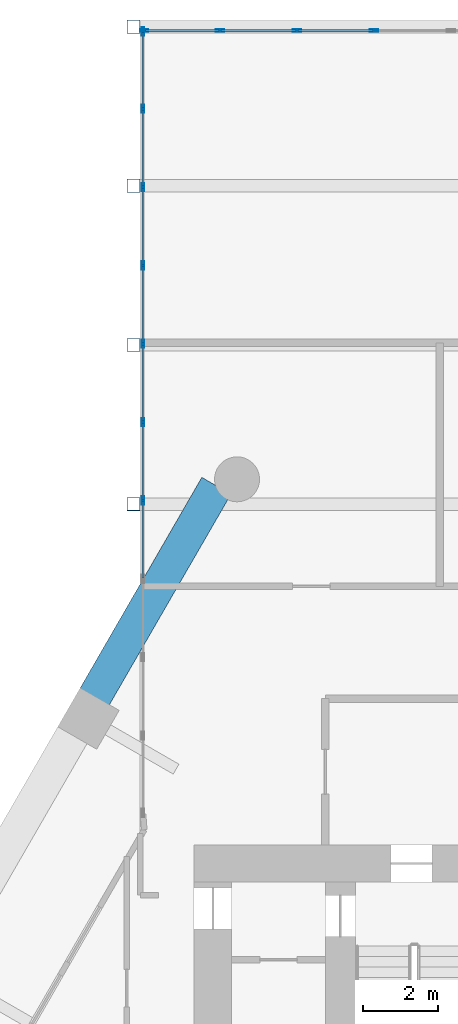
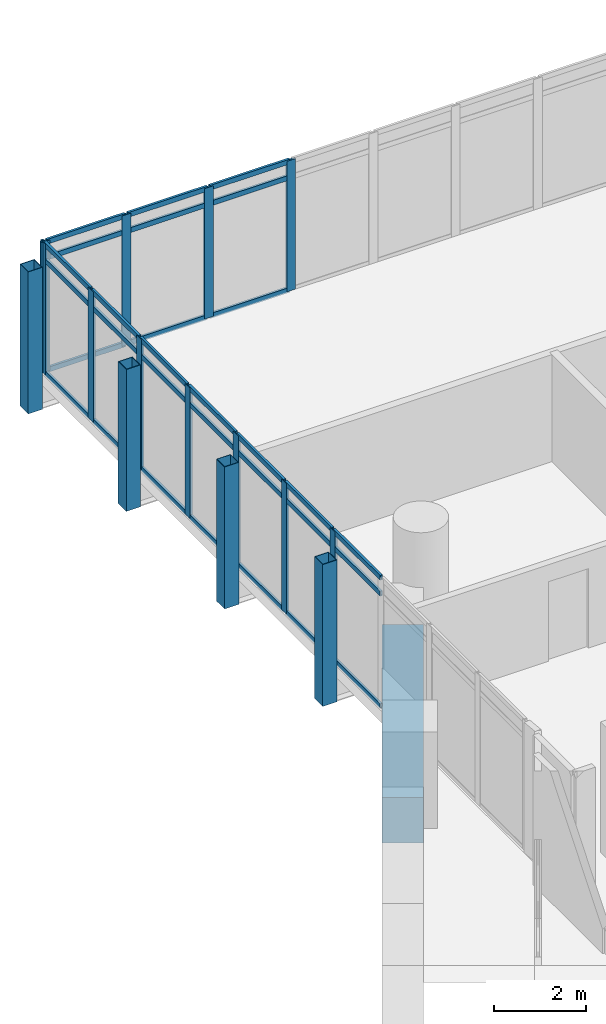
# One storey, part 13 of 28: 45 members, 1 beam, 2 elements without a shape of their own.
"""IFC4 building model written with IfcOpenShell, lengths in metres."""

from ifc_helpers import new_model, si_unit, direction, frame, origin, origin_2d, place, context, subcontext, project, spatial, rectangle, hollow_rectangle, extrude, material, material_profile, profile_set, type_object, element, aggregate, save


model = new_model("IFC4")

# Units and contexts
model_context = context("Model", 3, precision=1e-05, world=origin(), true_north=direction((0.0, 1.0)))
body_context = subcontext(model_context, "Body", "Model", "MODEL_VIEW")
ifc_project = project(units=[si_unit("LENGTHUNIT", "METRE"), si_unit("AREAUNIT", "SQUARE_METRE"), si_unit("VOLUMEUNIT", "CUBIC_METRE"), si_unit("PLANEANGLEUNIT", "RADIAN"), si_unit("MASSUNIT", "GRAM", prefix="KILO")], contexts=[model_context])

# Site, building, storey
site_placement = place(None, origin())
site = spatial("IfcSite", under=ifc_project, at=site_placement, CompositionType="ELEMENT")
building_placement = place(site_placement, origin())
building = spatial("IfcBuilding", under=site, at=building_placement, Name="Ostrander Bayou Hotel Tower", CompositionType="ELEMENT")
storey_placement = place(building_placement, frame((0.0, 0.0, 100.5)))
storey = spatial("IfcBuildingStorey", under=building, at=storey_placement, Name="L25", CompositionType="ELEMENT", Elevation=100.5)

# Curtain wall, members
ifc_material_1 = material(Name="Aluminium and clear glass", Category="aluminium")
curtain_wall_type = type_object("IfcCurtainWallType", Name="CW-BAR glazed wall", PredefinedType="NOTDEFINED", material=ifc_material_1)
curtain_wall_1_placement = place(storey_placement, origin())
curtain_wall_1 = element("IfcCurtainWall", 1, at=curtain_wall_1_placement, inside=storey, type_object=curtain_wall_type, Name="CW-BAR L25:SB2N:E", PredefinedType="NOTDEFINED")
ifc_material_2 = material(Name="Aluminium", Category="aluminium")
ifc_material_profile_1 = material_profile(ifc_material_2, hollow_rectangle(XDim=0.06005859375, YDim=0.219970703125, WallThickness=0.00390625, at=origin_2d()))
ifc_profile_set_1 = profile_set([ifc_material_profile_1], Name="Aluminium")
member_type_1 = type_object("IfcMemberType", Name="CW-BR mullion 60 x 220 mm", PredefinedType="MULLION", material=ifc_profile_set_1)
member_1_placement = place(storey_placement, frame((-13.3671875, 18.89013671875, 0.0), z_axis=(0.0, 0.0, 1.0), x_axis=(-1.0, 0.0, 0.0)))
member_1 = element("IfcMember", 2, at=member_1_placement, type_object=member_type_1, Name="CW-BAR mullion 5", PredefinedType="MULLION", context=body_context, shape_type="SweptSolid", body=[
    extrude(hollow_rectangle(XDim=0.06005859375, YDim=0.219970703125, WallThickness=0.00390625, at=origin_2d()), origin(), (0.0, 0.0, 1.0), 3.449951171875),
])
member_2_placement = place(storey_placement, frame((-13.3671875, 20.982666015625, 0.0), z_axis=(0.0, 0.0, 1.0), x_axis=(-1.0, 0.0, 0.0)))
member_2 = element("IfcMember", 3, at=member_2_placement, type_object=member_type_1, Name="CW-BAR mullion 6", PredefinedType="MULLION", context=body_context, shape_type="SweptSolid", body=[
    extrude(hollow_rectangle(XDim=0.06005859375, YDim=0.219970703125, WallThickness=0.00390625, at=origin_2d()), origin(), (0.0, 0.0, 1.0), 3.449951171875),
])
member_3_placement = place(storey_placement, frame((-13.3671875, 23.0751953125, 0.0), z_axis=(0.0, 0.0, 1.0), x_axis=(-1.0, 0.0, 0.0)))
member_3 = element("IfcMember", 4, at=member_3_placement, type_object=member_type_1, Name="CW-BAR mullion 7", PredefinedType="MULLION", context=body_context, shape_type="SweptSolid", body=[
    extrude(hollow_rectangle(XDim=0.06005859375, YDim=0.219970703125, WallThickness=0.00390625, at=origin_2d()), origin(), (0.0, 0.0, 1.0), 3.449951171875),
])
member_4_placement = place(storey_placement, frame((-13.3671875, 25.167724609375, 0.0), z_axis=(0.0, 0.0, 1.0), x_axis=(-1.0, 0.0, 0.0)))
member_4 = element("IfcMember", 5, at=member_4_placement, type_object=member_type_1, Name="CW-BAR mullion 8", PredefinedType="MULLION", context=body_context, shape_type="SweptSolid", body=[
    extrude(hollow_rectangle(XDim=0.06005859375, YDim=0.219970703125, WallThickness=0.00390625, at=origin_2d()), origin(), (0.0, 0.0, 1.0), 3.449951171875),
])
member_5_placement = place(storey_placement, frame((-13.3671875, 27.26025390625, 0.0), z_axis=(0.0, 0.0, 1.0), x_axis=(-1.0, 0.0, 0.0)))
member_5 = element("IfcMember", 6, at=member_5_placement, type_object=member_type_1, Name="CW-BAR mullion 9", PredefinedType="MULLION", context=body_context, shape_type="SweptSolid", body=[
    extrude(hollow_rectangle(XDim=0.06005859375, YDim=0.219970703125, WallThickness=0.00390625, at=origin_2d()), origin(), (0.0, 0.0, 1.0), 3.449951171875),
])
member_6_placement = place(storey_placement, frame((-13.3671875, 29.352783203125, 0.0), z_axis=(0.0, 0.0, 1.0), x_axis=(-1.0, 0.0, 0.0)))
member_6 = element("IfcMember", 7, at=member_6_placement, type_object=member_type_1, Name="CW-BAR mullion 10", PredefinedType="MULLION", context=body_context, shape_type="SweptSolid", body=[
    extrude(hollow_rectangle(XDim=0.06005859375, YDim=0.219970703125, WallThickness=0.00390625, at=origin_2d()), origin(), (0.0, 0.0, 1.0), 3.449951171875),
])
member_7_placement = place(storey_placement, frame((-13.3671875, 31.415283203125, 0.0), z_axis=(0.0, 0.0, 1.0), x_axis=(-1.0, 0.0, 0.0)))
member_7 = element("IfcMember", 8, at=member_7_placement, type_object=member_type_1, Name="CW-BAR mullion 11", PredefinedType="MULLION", context=body_context, shape_type="SweptSolid", body=[
    extrude(hollow_rectangle(XDim=0.06005859375, YDim=0.219970703125, WallThickness=0.00390625, at=origin_2d()), origin(), (0.0, 0.0, 1.0), 3.449951171875),
])

curtain_wall_2_placement = place(storey_placement, origin())
curtain_wall_2 = element("IfcCurtainWall", 9, at=curtain_wall_2_placement, inside=storey, type_object=curtain_wall_type, Name="CW-BAR L25:SB2N:T", PredefinedType="NOTDEFINED")
member_8_placement = place(storey_placement, frame((-13.337158203125, 31.4453125, 0.0), z_axis=(0.0, 0.0, 1.0), x_axis=(0.0, 1.0, 0.0)))
member_8 = element("IfcMember", 10, at=member_8_placement, type_object=member_type_1, Name="CW-BAR mullion 1", PredefinedType="MULLION", context=body_context, shape_type="SweptSolid", body=[
    extrude(hollow_rectangle(XDim=0.06005859375, YDim=0.219970703125, WallThickness=0.00390625, at=origin_2d()), origin(), (0.0, 0.0, 1.0), 3.449951171875),
])
member_9_placement = place(storey_placement, frame((-11.310791015625, 31.4453125, 0.0), z_axis=(0.0, 0.0, 1.0), x_axis=(0.0, 1.0, 0.0)))
member_9 = element("IfcMember", 11, at=member_9_placement, type_object=member_type_1, Name="CW-BAR mullion 2", PredefinedType="MULLION", context=body_context, shape_type="SweptSolid", body=[
    extrude(hollow_rectangle(XDim=0.06005859375, YDim=0.219970703125, WallThickness=0.00390625, at=origin_2d()), origin(), (0.0, 0.0, 1.0), 3.449951171875),
])
member_10_placement = place(storey_placement, frame((-9.254150390625, 31.4453125, 0.0), z_axis=(0.0, 0.0, 1.0), x_axis=(0.0, 1.0, 0.0)))
member_10 = element("IfcMember", 12, at=member_10_placement, type_object=member_type_1, Name="CW-BAR mullion 3", PredefinedType="MULLION", context=body_context, shape_type="SweptSolid", body=[
    extrude(hollow_rectangle(XDim=0.06005859375, YDim=0.219970703125, WallThickness=0.00390625, at=origin_2d()), origin(), (0.0, 0.0, 1.0), 3.449951171875),
])
member_11_placement = place(storey_placement, frame((-7.19775390625, 31.4453125, 0.0), z_axis=(0.0, 0.0, 1.0), x_axis=(0.0, 1.0, 0.0)))
member_11 = element("IfcMember", 13, at=member_11_placement, type_object=member_type_1, Name="CW-BAR mullion 4", PredefinedType="MULLION", context=body_context, shape_type="SweptSolid", body=[
    extrude(hollow_rectangle(XDim=0.06005859375, YDim=0.219970703125, WallThickness=0.00390625, at=origin_2d()), origin(), (0.0, 0.0, 1.0), 3.449951171875),
])

# Member
ifc_material_3 = material(Name="Aluminium", Category="aluminium")
ifc_material_profile_2 = material_profile(ifc_material_3, hollow_rectangle(XDim=0.06005859375, YDim=0.1298828125, WallThickness=0.00390625, at=origin_2d()))
ifc_profile_set_2 = profile_set([ifc_material_profile_2], Name="Aluminium")
member_type_2 = type_object("IfcMemberType", Name="CW-BR transom 60 x 130 mm", PredefinedType="USERDEFINED", material=ifc_profile_set_2)
member_12_placement = place(storey_placement, frame((-13.3671875, 16.82763671875, 0.030029296875), z_axis=(0.0, 1.0, 0.0), x_axis=(-1.0, 0.0, 0.0)))
member_12 = element("IfcMember", 14, at=member_12_placement, type_object=member_type_2, Name="CW-BAR transom 4.1", ObjectType="TRANSOM", PredefinedType="USERDEFINED", context=body_context, shape_type="SweptSolid", body=[
    extrude(hollow_rectangle(XDim=0.06005859375, YDim=0.1298828125, WallThickness=0.00390625, at=origin_2d()), origin(), (0.0, 0.0, 1.0), 2.032470703125),
])

member_13_placement = place(storey_placement, frame((-13.3671875, 16.82763671875, 3.0), z_axis=(0.0, 1.0, 0.0), x_axis=(-1.0, 0.0, 0.0)))
member_13 = element("IfcMember", 15, at=member_13_placement, type_object=member_type_2, Name="CW-BAR transom 4.2", ObjectType="TRANSOM", PredefinedType="USERDEFINED", context=body_context, shape_type="SweptSolid", body=[
    extrude(hollow_rectangle(XDim=0.06005859375, YDim=0.1298828125, WallThickness=0.00390625, at=origin_2d()), origin(), (0.0, 0.0, 1.0), 2.032470703125),
])

member_14_placement = place(storey_placement, frame((-13.3671875, 16.82763671875, 3.419921875), z_axis=(0.0, 1.0, 0.0), x_axis=(-1.0, 0.0, 0.0)))
member_14 = element("IfcMember", 16, at=member_14_placement, type_object=member_type_2, Name="CW-BAR transom 4.3", ObjectType="TRANSOM", PredefinedType="USERDEFINED", context=body_context, shape_type="SweptSolid", body=[
    extrude(hollow_rectangle(XDim=0.06005859375, YDim=0.1298828125, WallThickness=0.00390625, at=origin_2d()), origin(), (0.0, 0.0, 1.0), 2.032470703125),
])

member_15_placement = place(storey_placement, frame((-13.3671875, 18.920166015625, 0.030029296875), z_axis=(0.0, 1.0, 0.0), x_axis=(-1.0, 0.0, 0.0)))
member_15 = element("IfcMember", 17, at=member_15_placement, type_object=member_type_2, Name="CW-BAR transom 5.1", ObjectType="TRANSOM", PredefinedType="USERDEFINED", context=body_context, shape_type="SweptSolid", body=[
    extrude(hollow_rectangle(XDim=0.06005859375, YDim=0.1298828125, WallThickness=0.00390625, at=origin_2d()), origin(), (0.0, 0.0, 1.0), 2.032470703125),
])

member_16_placement = place(storey_placement, frame((-13.3671875, 18.920166015625, 3.0), z_axis=(0.0, 1.0, 0.0), x_axis=(-1.0, 0.0, 0.0)))
member_16 = element("IfcMember", 18, at=member_16_placement, type_object=member_type_2, Name="CW-BAR transom 5.2", ObjectType="TRANSOM", PredefinedType="USERDEFINED", context=body_context, shape_type="SweptSolid", body=[
    extrude(hollow_rectangle(XDim=0.06005859375, YDim=0.1298828125, WallThickness=0.00390625, at=origin_2d()), origin(), (0.0, 0.0, 1.0), 2.032470703125),
])

member_17_placement = place(storey_placement, frame((-13.3671875, 18.920166015625, 3.419921875), z_axis=(0.0, 1.0, 0.0), x_axis=(-1.0, 0.0, 0.0)))
member_17 = element("IfcMember", 19, at=member_17_placement, type_object=member_type_2, Name="CW-BAR transom 5.3", ObjectType="TRANSOM", PredefinedType="USERDEFINED", context=body_context, shape_type="SweptSolid", body=[
    extrude(hollow_rectangle(XDim=0.06005859375, YDim=0.1298828125, WallThickness=0.00390625, at=origin_2d()), origin(), (0.0, 0.0, 1.0), 2.032470703125),
])

member_18_placement = place(storey_placement, frame((-13.3671875, 21.0126953125, 0.030029296875), z_axis=(0.0, 1.0, 0.0), x_axis=(-1.0, 0.0, 0.0)))
member_18 = element("IfcMember", 20, at=member_18_placement, type_object=member_type_2, Name="CW-BAR transom 6.1", ObjectType="TRANSOM", PredefinedType="USERDEFINED", context=body_context, shape_type="SweptSolid", body=[
    extrude(hollow_rectangle(XDim=0.06005859375, YDim=0.1298828125, WallThickness=0.00390625, at=origin_2d()), origin(), (0.0, 0.0, 1.0), 2.032470703125),
])

member_19_placement = place(storey_placement, frame((-13.3671875, 21.0126953125, 3.0), z_axis=(0.0, 1.0, 0.0), x_axis=(-1.0, 0.0, 0.0)))
member_19 = element("IfcMember", 21, at=member_19_placement, type_object=member_type_2, Name="CW-BAR transom 6.2", ObjectType="TRANSOM", PredefinedType="USERDEFINED", context=body_context, shape_type="SweptSolid", body=[
    extrude(hollow_rectangle(XDim=0.06005859375, YDim=0.1298828125, WallThickness=0.00390625, at=origin_2d()), origin(), (0.0, 0.0, 1.0), 2.032470703125),
])

member_20_placement = place(storey_placement, frame((-13.3671875, 21.0126953125, 3.419921875), z_axis=(0.0, 1.0, 0.0), x_axis=(-1.0, 0.0, 0.0)))
member_20 = element("IfcMember", 22, at=member_20_placement, type_object=member_type_2, Name="CW-BAR transom 6.3", ObjectType="TRANSOM", PredefinedType="USERDEFINED", context=body_context, shape_type="SweptSolid", body=[
    extrude(hollow_rectangle(XDim=0.06005859375, YDim=0.1298828125, WallThickness=0.00390625, at=origin_2d()), origin(), (0.0, 0.0, 1.0), 2.032470703125),
])

member_21_placement = place(storey_placement, frame((-13.3671875, 23.105224609375, 0.030029296875), z_axis=(0.0, 1.0, 0.0), x_axis=(-1.0, 0.0, 0.0)))
member_21 = element("IfcMember", 23, at=member_21_placement, type_object=member_type_2, Name="CW-BAR transom 7.1", ObjectType="TRANSOM", PredefinedType="USERDEFINED", context=body_context, shape_type="SweptSolid", body=[
    extrude(hollow_rectangle(XDim=0.06005859375, YDim=0.1298828125, WallThickness=0.00390625, at=origin_2d()), origin(), (0.0, 0.0, 1.0), 2.032470703125),
])

member_22_placement = place(storey_placement, frame((-13.3671875, 23.105224609375, 3.0), z_axis=(0.0, 1.0, 0.0), x_axis=(-1.0, 0.0, 0.0)))
member_22 = element("IfcMember", 24, at=member_22_placement, type_object=member_type_2, Name="CW-BAR transom 7.2", ObjectType="TRANSOM", PredefinedType="USERDEFINED", context=body_context, shape_type="SweptSolid", body=[
    extrude(hollow_rectangle(XDim=0.06005859375, YDim=0.1298828125, WallThickness=0.00390625, at=origin_2d()), origin(), (0.0, 0.0, 1.0), 2.032470703125),
])

member_23_placement = place(storey_placement, frame((-13.3671875, 23.105224609375, 3.419921875), z_axis=(0.0, 1.0, 0.0), x_axis=(-1.0, 0.0, 0.0)))
member_23 = element("IfcMember", 25, at=member_23_placement, type_object=member_type_2, Name="CW-BAR transom 7.3", ObjectType="TRANSOM", PredefinedType="USERDEFINED", context=body_context, shape_type="SweptSolid", body=[
    extrude(hollow_rectangle(XDim=0.06005859375, YDim=0.1298828125, WallThickness=0.00390625, at=origin_2d()), origin(), (0.0, 0.0, 1.0), 2.032470703125),
])

member_24_placement = place(storey_placement, frame((-13.3671875, 25.19775390625, 0.030029296875), z_axis=(0.0, 1.0, 0.0), x_axis=(-1.0, 0.0, 0.0)))
member_24 = element("IfcMember", 26, at=member_24_placement, type_object=member_type_2, Name="CW-BAR transom 8.1", ObjectType="TRANSOM", PredefinedType="USERDEFINED", context=body_context, shape_type="SweptSolid", body=[
    extrude(hollow_rectangle(XDim=0.06005859375, YDim=0.1298828125, WallThickness=0.00390625, at=origin_2d()), origin(), (0.0, 0.0, 1.0), 2.032470703125),
])

member_25_placement = place(storey_placement, frame((-13.3671875, 25.19775390625, 3.0), z_axis=(0.0, 1.0, 0.0), x_axis=(-1.0, 0.0, 0.0)))
member_25 = element("IfcMember", 27, at=member_25_placement, type_object=member_type_2, Name="CW-BAR transom 8.2", ObjectType="TRANSOM", PredefinedType="USERDEFINED", context=body_context, shape_type="SweptSolid", body=[
    extrude(hollow_rectangle(XDim=0.06005859375, YDim=0.1298828125, WallThickness=0.00390625, at=origin_2d()), origin(), (0.0, 0.0, 1.0), 2.032470703125),
])

member_26_placement = place(storey_placement, frame((-13.3671875, 25.19775390625, 3.419921875), z_axis=(0.0, 1.0, 0.0), x_axis=(-1.0, 0.0, 0.0)))
member_26 = element("IfcMember", 28, at=member_26_placement, type_object=member_type_2, Name="CW-BAR transom 8.3", ObjectType="TRANSOM", PredefinedType="USERDEFINED", context=body_context, shape_type="SweptSolid", body=[
    extrude(hollow_rectangle(XDim=0.06005859375, YDim=0.1298828125, WallThickness=0.00390625, at=origin_2d()), origin(), (0.0, 0.0, 1.0), 2.032470703125),
])

member_27_placement = place(storey_placement, frame((-13.3671875, 27.290283203125, 0.030029296875), z_axis=(0.0, 1.0, 0.0), x_axis=(-1.0, 0.0, 0.0)))
member_27 = element("IfcMember", 29, at=member_27_placement, type_object=member_type_2, Name="CW-BAR transom 9.1", ObjectType="TRANSOM", PredefinedType="USERDEFINED", context=body_context, shape_type="SweptSolid", body=[
    extrude(hollow_rectangle(XDim=0.06005859375, YDim=0.1298828125, WallThickness=0.00390625, at=origin_2d()), origin(), (0.0, 0.0, 1.0), 2.032470703125),
])

member_28_placement = place(storey_placement, frame((-13.3671875, 27.290283203125, 3.0), z_axis=(0.0, 1.0, 0.0), x_axis=(-1.0, 0.0, 0.0)))
member_28 = element("IfcMember", 30, at=member_28_placement, type_object=member_type_2, Name="CW-BAR transom 9.2", ObjectType="TRANSOM", PredefinedType="USERDEFINED", context=body_context, shape_type="SweptSolid", body=[
    extrude(hollow_rectangle(XDim=0.06005859375, YDim=0.1298828125, WallThickness=0.00390625, at=origin_2d()), origin(), (0.0, 0.0, 1.0), 2.032470703125),
])

member_29_placement = place(storey_placement, frame((-13.3671875, 27.290283203125, 3.419921875), z_axis=(0.0, 1.0, 0.0), x_axis=(-1.0, 0.0, 0.0)))
member_29 = element("IfcMember", 31, at=member_29_placement, type_object=member_type_2, Name="CW-BAR transom 9.3", ObjectType="TRANSOM", PredefinedType="USERDEFINED", context=body_context, shape_type="SweptSolid", body=[
    extrude(hollow_rectangle(XDim=0.06005859375, YDim=0.1298828125, WallThickness=0.00390625, at=origin_2d()), origin(), (0.0, 0.0, 1.0), 2.032470703125),
])

member_30_placement = place(storey_placement, frame((-13.3671875, 29.3828125, 0.030029296875), z_axis=(0.0, 1.0, 0.0), x_axis=(-1.0, 0.0, 0.0)))
member_30 = element("IfcMember", 32, at=member_30_placement, type_object=member_type_2, Name="CW-BAR transom 10.1", ObjectType="TRANSOM", PredefinedType="USERDEFINED", context=body_context, shape_type="SweptSolid", body=[
    extrude(hollow_rectangle(XDim=0.06005859375, YDim=0.1298828125, WallThickness=0.00390625, at=origin_2d()), origin(), (0.0, 0.0, 1.0), 2.002685546875),
])

member_31_placement = place(storey_placement, frame((-13.3671875, 29.3828125, 3.0), z_axis=(0.0, 1.0, 0.0), x_axis=(-1.0, 0.0, 0.0)))
member_31 = element("IfcMember", 33, at=member_31_placement, type_object=member_type_2, Name="CW-BAR transom 10.2", ObjectType="TRANSOM", PredefinedType="USERDEFINED", context=body_context, shape_type="SweptSolid", body=[
    extrude(hollow_rectangle(XDim=0.06005859375, YDim=0.1298828125, WallThickness=0.00390625, at=origin_2d()), origin(), (0.0, 0.0, 1.0), 2.002685546875),
])

member_32_placement = place(storey_placement, frame((-13.3671875, 29.3828125, 3.419921875), z_axis=(0.0, 1.0, 0.0), x_axis=(-1.0, 0.0, 0.0)))
member_32 = element("IfcMember", 34, at=member_32_placement, type_object=member_type_2, Name="CW-BAR transom 10.3", ObjectType="TRANSOM", PredefinedType="USERDEFINED", context=body_context, shape_type="SweptSolid", body=[
    extrude(hollow_rectangle(XDim=0.06005859375, YDim=0.1298828125, WallThickness=0.00390625, at=origin_2d()), origin(), (0.0, 0.0, 1.0), 2.002685546875),
])

aggregate(curtain_wall_1, [member_1, member_2, member_3, member_4, member_5, member_6, member_7, member_12, member_13, member_14, member_15, member_16, member_17, member_18, member_19, member_20, member_21, member_22, member_23, member_24, member_25, member_26, member_27, member_28, member_29, member_30, member_31, member_32])

member_33_placement = place(storey_placement, frame((-13.30712890625, 31.4453125, 0.030029296875), z_axis=(1.0, 0.0, 0.0), x_axis=(0.0, 1.0, 0.0)))
member_33 = element("IfcMember", 35, at=member_33_placement, type_object=member_type_2, Name="CW-BAR transom 1.1", ObjectType="TRANSOM", PredefinedType="USERDEFINED", context=body_context, shape_type="SweptSolid", body=[
    extrude(hollow_rectangle(XDim=0.06005859375, YDim=0.1298828125, WallThickness=0.00390625, at=origin_2d()), origin(), (0.0, 0.0, 1.0), 1.96630859375),
])

member_34_placement = place(storey_placement, frame((-13.30712890625, 31.4453125, 3.0), z_axis=(1.0, 0.0, 0.0), x_axis=(0.0, 1.0, 0.0)))
member_34 = element("IfcMember", 36, at=member_34_placement, type_object=member_type_2, Name="CW-BAR transom 1.2", ObjectType="TRANSOM", PredefinedType="USERDEFINED", context=body_context, shape_type="SweptSolid", body=[
    extrude(hollow_rectangle(XDim=0.06005859375, YDim=0.1298828125, WallThickness=0.00390625, at=origin_2d()), origin(), (0.0, 0.0, 1.0), 1.96630859375),
])

member_35_placement = place(storey_placement, frame((-13.30712890625, 31.4453125, 3.419921875), z_axis=(1.0, 0.0, 0.0), x_axis=(0.0, 1.0, 0.0)))
member_35 = element("IfcMember", 37, at=member_35_placement, type_object=member_type_2, Name="CW-BAR transom 1.3", ObjectType="TRANSOM", PredefinedType="USERDEFINED", context=body_context, shape_type="SweptSolid", body=[
    extrude(hollow_rectangle(XDim=0.06005859375, YDim=0.1298828125, WallThickness=0.00390625, at=origin_2d()), origin(), (0.0, 0.0, 1.0), 1.96630859375),
])

member_36_placement = place(storey_placement, frame((-11.28076171875, 31.4453125, 0.030029296875), z_axis=(1.0, 0.0, 0.0), x_axis=(0.0, 1.0, 0.0)))
member_36 = element("IfcMember", 38, at=member_36_placement, type_object=member_type_2, Name="CW-BAR transom 2.1", ObjectType="TRANSOM", PredefinedType="USERDEFINED", context=body_context, shape_type="SweptSolid", body=[
    extrude(hollow_rectangle(XDim=0.06005859375, YDim=0.1298828125, WallThickness=0.00390625, at=origin_2d()), origin(), (0.0, 0.0, 1.0), 1.99658203125),
])

member_37_placement = place(storey_placement, frame((-11.28076171875, 31.4453125, 3.0), z_axis=(1.0, 0.0, 0.0), x_axis=(0.0, 1.0, 0.0)))
member_37 = element("IfcMember", 39, at=member_37_placement, type_object=member_type_2, Name="CW-BAR transom 2.2", ObjectType="TRANSOM", PredefinedType="USERDEFINED", context=body_context, shape_type="SweptSolid", body=[
    extrude(hollow_rectangle(XDim=0.06005859375, YDim=0.1298828125, WallThickness=0.00390625, at=origin_2d()), origin(), (0.0, 0.0, 1.0), 1.99658203125),
])

member_38_placement = place(storey_placement, frame((-11.28076171875, 31.4453125, 3.419921875), z_axis=(1.0, 0.0, 0.0), x_axis=(0.0, 1.0, 0.0)))
member_38 = element("IfcMember", 40, at=member_38_placement, type_object=member_type_2, Name="CW-BAR transom 2.3", ObjectType="TRANSOM", PredefinedType="USERDEFINED", context=body_context, shape_type="SweptSolid", body=[
    extrude(hollow_rectangle(XDim=0.06005859375, YDim=0.1298828125, WallThickness=0.00390625, at=origin_2d()), origin(), (0.0, 0.0, 1.0), 1.99658203125),
])

member_39_placement = place(storey_placement, frame((-9.22412109375, 31.4453125, 0.030029296875), z_axis=(1.0, 0.0, 0.0), x_axis=(0.0, 1.0, 0.0)))
member_39 = element("IfcMember", 41, at=member_39_placement, type_object=member_type_2, Name="CW-BAR transom 3.1", ObjectType="TRANSOM", PredefinedType="USERDEFINED", context=body_context, shape_type="SweptSolid", body=[
    extrude(hollow_rectangle(XDim=0.06005859375, YDim=0.1298828125, WallThickness=0.00390625, at=origin_2d()), origin(), (0.0, 0.0, 1.0), 1.996337890625),
])

member_40_placement = place(storey_placement, frame((-9.22412109375, 31.4453125, 3.0), z_axis=(1.0, 0.0, 0.0), x_axis=(0.0, 1.0, 0.0)))
member_40 = element("IfcMember", 42, at=member_40_placement, type_object=member_type_2, Name="CW-BAR transom 3.2", ObjectType="TRANSOM", PredefinedType="USERDEFINED", context=body_context, shape_type="SweptSolid", body=[
    extrude(hollow_rectangle(XDim=0.06005859375, YDim=0.1298828125, WallThickness=0.00390625, at=origin_2d()), origin(), (0.0, 0.0, 1.0), 1.996337890625),
])

member_41_placement = place(storey_placement, frame((-9.22412109375, 31.4453125, 3.419921875), z_axis=(1.0, 0.0, 0.0), x_axis=(0.0, 1.0, 0.0)))
member_41 = element("IfcMember", 43, at=member_41_placement, type_object=member_type_2, Name="CW-BAR transom 3.3", ObjectType="TRANSOM", PredefinedType="USERDEFINED", context=body_context, shape_type="SweptSolid", body=[
    extrude(hollow_rectangle(XDim=0.06005859375, YDim=0.1298828125, WallThickness=0.00390625, at=origin_2d()), origin(), (0.0, 0.0, 1.0), 1.996337890625),
])

aggregate(curtain_wall_2, [member_8, member_9, member_10, member_11, member_33, member_34, member_35, member_36, member_37, member_38, member_39, member_40, member_41])

# Beam
ifc_material_4 = material(Name="Concrete f'c 70 MPa", Category="concrete")
ifc_material_profile_3 = material_profile(ifc_material_4, rectangle(XDim=0.89990234375, YDim=1.199951171875, at=origin_2d()))
ifc_profile_set_3 = profile_set([ifc_material_profile_3], Name="Concrete f'c 70 MPa")
beam_type = type_object("IfcBeamType", Name="SP2 spandrel beam 900 x 1200 mm f'c 70 MPa", PredefinedType="SPANDREL", material=ifc_profile_set_3)
beam_placement = place(storey_placement, frame((-11.407958984375, 19.286376953125, -0.60009765625), z_axis=(-0.499971966783, -0.866041588165, 0.0), x_axis=(0.866041588165, -0.499971966783, 0.0)))
element("IfcBeam", 44, at=beam_placement, inside=storey, type_object=beam_type, Name="SP2 L25 NW-1", PredefinedType="SPANDREL", context=body_context, shape_type="SweptSolid", body=[
    extrude(rectangle(XDim=0.89990234375, YDim=1.199951171875, at=origin_2d()), origin(), (0.0, 0.0, 1.0), 6.521728515625),
])

# Members
ifc_material_5 = material(Name="Steel ASTM A500 Gr C", Category="steel")
ifc_material_profile_4 = material_profile(ifc_material_5, hollow_rectangle(XDim=0.355712890625, YDim=0.355712890625, WallThickness=0.0146484375, at=origin_2d()))
ifc_profile_set_4 = profile_set([ifc_material_profile_4], Name="Steel ASTM A500 Gr C")
member_type_3 = type_object("IfcMemberType", Name="TH1 bar hanger HSS14x14x5/8", PredefinedType="POST", material=ifc_profile_set_4)
for number, where, z_axis, x_axis, name in (
    (45, (-13.6201171875, 31.54541015625, -0.921875), (0.0, 0.0, 1.0), (1.0, 0.0, 0.0), "TH1 SB2WA H1-3"),
    (46, (-13.6201171875, 27.295654296875, -0.921875), (0.0, 0.0, 1.0), (1.0, 0.0, 0.0), "TH1 SB2WA H2-3"),
    (47, (-13.6201171875, 23.0458984375, -0.921875), (0.0, 0.0, 1.0), (1.0, 0.0, 0.0), "TH1 SB2WA H3-3"),
    (48, (-13.6201171875, 18.79638671875, -0.921875), (0.0, 0.0, 1.0), (1.0, 0.0, 0.0), "TH1 SB2WA H4-3"),
):
    element("IfcMember", number, at=place(storey_placement, frame(where, z_axis=z_axis, x_axis=x_axis)), inside=storey, type_object=member_type_3, Name=name, PredefinedType="POST", context=body_context, shape_type="SweptSolid", body=[
        extrude(hollow_rectangle(XDim=0.355712890625, YDim=0.355712890625, WallThickness=0.0146484375, at=origin_2d()), origin(), (0.0, 0.0, 1.0), 3.75),
    ])

save(model, "model.ifc")
